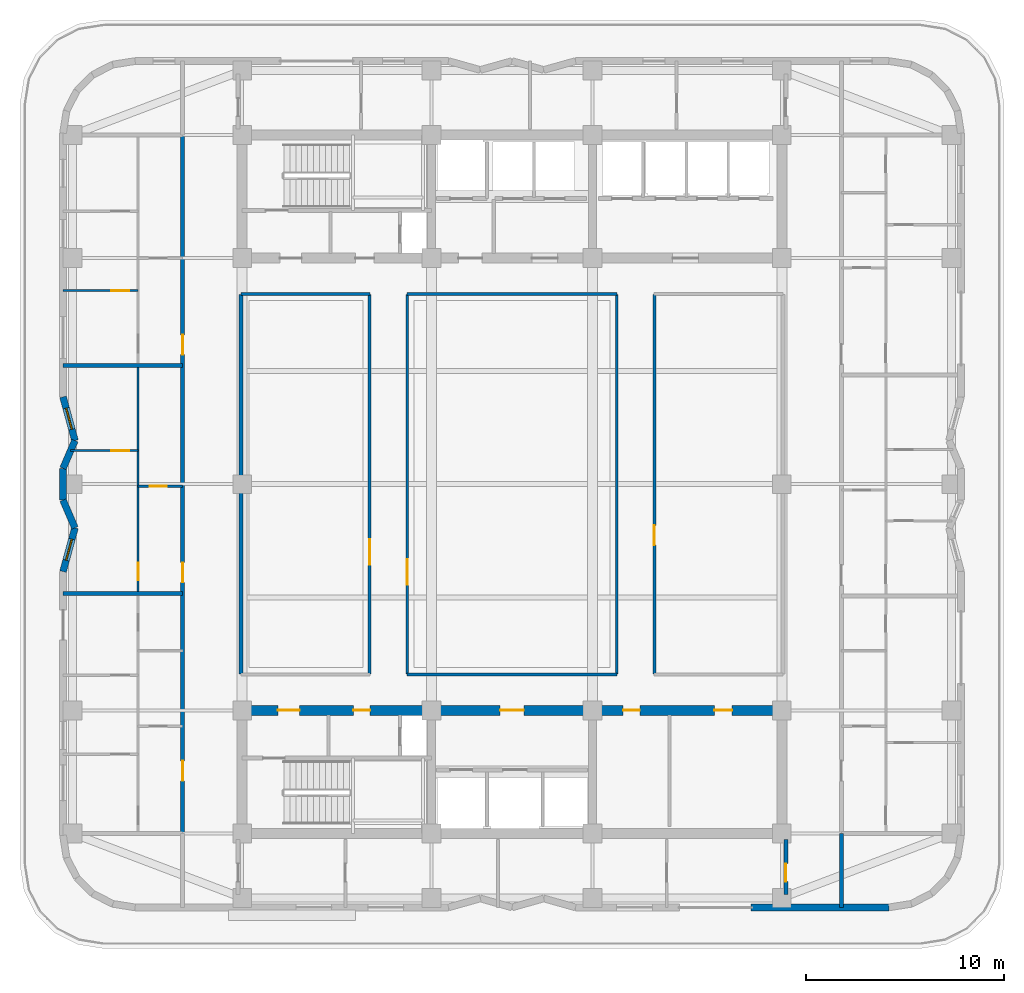
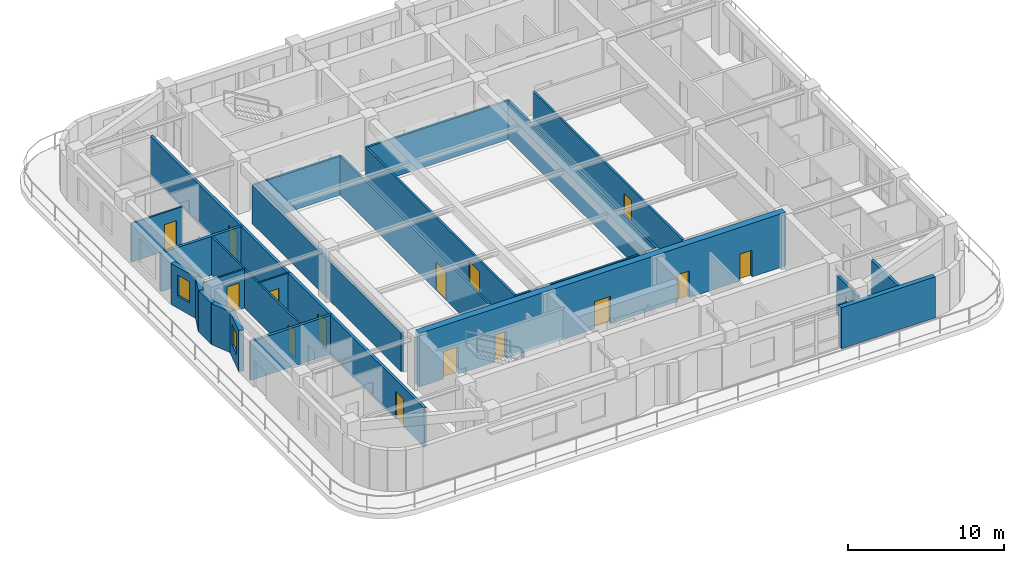
# One storey, part 7 of 14: 24 walls, 16 doors, 2 windows, 18 openings.
"""IFC4 building model written with IfcOpenShell, lengths in metres."""

import ifcopenshell
import ifcopenshell.guid

model = None  # the IFC model being written
_history = None  # IfcOwnerHistory: only IFC2X3 demands one
_inside = {}  # id of a spatial element -> (the spatial element, [elements in it])
_under = {}  # id of a project, library or spatial element -> (it, [spatial elements below it])
_declared = {}  # id of a project -> (the project, [libraries it declares])
_typed = {}  # id of a type object -> (the type object, [elements of that type])
_made_of = {}  # id of a material, layer set ... -> (it, [elements and type objects made of it])


def new_model(schema):
    """Start an empty IFC model of exactly this schema.

    Asked for "IFC4X3", IfcOpenShell would pick the latest addendum, in which some entities
    have other attributes; the version numbers below select the first issue.
    IFC2X3 requires an IfcOwnerHistory on every rooted entity: one is made here for all.
    """
    global model, _history
    if schema == "IFC4X3":
        model = ifcopenshell.file(schema_version=(4, 3, 0, 0))
    else:
        model = ifcopenshell.file(schema=schema)
    _inside.clear()
    _under.clear()
    _declared.clear()
    _typed.clear()
    _made_of.clear()
    _history = None
    if model.schema == "IFC2X3":
        org = make("IfcOrganization", Name="unknown")
        user = make(
            "IfcPersonAndOrganization",
            ThePerson=make("IfcPerson", FamilyName="unknown"),
            TheOrganization=org,
        )
        app = make(
            "IfcApplication",
            ApplicationDeveloper=org,
            Version="unknown",
            ApplicationFullName="unknown",
            ApplicationIdentifier="unknown",
        )
        _history = make(
            "IfcOwnerHistory",
            OwningUser=user,
            OwningApplication=app,
            ChangeAction="ADDED",
            CreationDate=0,
        )
    return model


def make(cls, **values):
    """One entity of the class cls with the attributes given. An attribute that is None is left unset."""
    return model.create_entity(
        cls, **{name: value for name, value in values.items() if value is not None}
    )


def rooted(cls, **values):
    """An entity with a GlobalId (a new one), such as an element, a storey or a relation."""
    return make(cls, GlobalId=ifcopenshell.guid.new(), OwnerHistory=_history, **values)


def si_unit(unit_type, name, prefix=None):
    """IfcSIUnit, for example si_unit("LENGTHUNIT", "METRE", prefix="MILLI")."""
    return make("IfcSIUnit", UnitType=unit_type, Prefix=prefix, Name=name)


def assignment(units):
    """IfcUnitAssignment: the units of a project."""
    return None if units is None else make("IfcUnitAssignment", Units=units)


def point(xyz):
    """IfcCartesianPoint."""
    return None if xyz is None else make("IfcCartesianPoint", Coordinates=xyz)


def direction(xyz):
    """IfcDirection."""
    return None if xyz is None else make("IfcDirection", DirectionRatios=xyz)


def frame(location, z_axis=None, x_axis=None):
    """IfcAxis2Placement3D, a coordinate frame: its origin and axes. An axis left out is left unset."""
    return make(
        "IfcAxis2Placement3D",
        Location=point(location),
        Axis=direction(z_axis),
        RefDirection=direction(x_axis),
    )


def frame_2d(location, x_axis=None):
    """IfcAxis2Placement2D, a coordinate frame in the plane: its origin and x axis."""
    return make(
        "IfcAxis2Placement2D", Location=point(location), RefDirection=direction(x_axis)
    )


def origin():
    """The frame at (0, 0, 0) with its axes left unset."""
    return frame((0.0, 0.0, 0.0))


def place(relative_to, where):
    """IfcLocalPlacement: puts the frame where relative to a parent placement (None: the world)."""
    return make(
        "IfcLocalPlacement", PlacementRelTo=relative_to, RelativePlacement=where
    )


def context(
    kind, dimensions, precision=None, world=None, true_north=None, identifier=None
):
    """IfcGeometricRepresentationContext, for example the 3D "Model" context."""
    return make(
        "IfcGeometricRepresentationContext",
        ContextIdentifier=identifier,
        ContextType=kind,
        CoordinateSpaceDimension=dimensions,
        Precision=precision,
        WorldCoordinateSystem=world,
        TrueNorth=true_north,
    )


def subcontext(parent, identifier, kind, view, scale=None):
    """IfcGeometricRepresentationSubContext, for example "Body" below "Model"."""
    return make(
        "IfcGeometricRepresentationSubContext",
        ContextIdentifier=identifier,
        ContextType=kind,
        ParentContext=parent,
        TargetScale=scale,
        TargetView=view,
    )


def project(units=None, contexts=None):
    """IfcProject with its units and contexts."""
    return rooted(
        "IfcProject",
        Name="project",
        RepresentationContexts=contexts,
        UnitsInContext=assignment(units),
    )


def spatial(cls, under=None, at=None, **own):
    """A site, building, storey or space (cls), placed at a placement, below another one or the project."""
    s = rooted(cls, ObjectPlacement=at, **own)
    if under is not None:
        _under.setdefault(under.id(), (under, []))[1].append(s)
    return s


def profile(cls, at=None, kind="AREA", **sizes):
    """A parametric profile (cls). Its sizes go by their IFC names, for example OverallWidth=200.0."""
    return make(cls, ProfileType=kind, Position=at, **sizes)


def rectangle(**sizes):
    """IfcRectangleProfileDef."""
    return profile("IfcRectangleProfileDef", **sizes)


def extrude(swept, where, along, depth):
    """IfcExtrudedAreaSolid: the profile swept, set in the frame where, extruded along a direction by depth."""
    return make(
        "IfcExtrudedAreaSolid",
        SweptArea=swept,
        Position=where,
        ExtrudedDirection=direction(along),
        Depth=depth,
    )


def shape(context_of_items, identifier, shape_type, items):
    """IfcShapeRepresentation: the items that make up one representation, for example the "Body"."""
    return make(
        "IfcShapeRepresentation",
        ContextOfItems=context_of_items,
        RepresentationIdentifier=identifier,
        RepresentationType=shape_type,
        Items=items,
    )


def material(Name=None, Category=None):
    """IfcMaterial."""
    return make("IfcMaterial", Name=Name, Category=Category)


def layer(
    of_material, thickness, ventilated=None, Name=None, Category=None, Priority=None
):
    """IfcMaterialLayer: one layer of a wall or slab, of a material (None: an air gap)."""
    return make(
        "IfcMaterialLayer",
        Material=of_material,
        LayerThickness=thickness,
        IsVentilated=ventilated,
        Name=Name,
        Category=Category,
        Priority=Priority,
    )


def layer_set(layers, Name=None):
    """IfcMaterialLayerSet."""
    return make("IfcMaterialLayerSet", MaterialLayers=layers, LayerSetName=Name)


def made_of(thing, what):
    """Note that an element or type object is made of a material, layer set ...; save() writes the relation."""
    if what is not None:
        _made_of.setdefault(what.id(), (what, []))[1].append(thing)
    return thing


def type_object(cls, material=None, **own):
    """A type object (cls), such as IfcWallType, which elements share."""
    return made_of(rooted(cls, **own), material)


def element(
    cls,
    number,
    at=None,
    inside=None,
    cuts=None,
    type_object=None,
    material=None,
    context=None,
    identifier="Body",
    shape_type=None,
    held_by="IfcProductDefinitionShape",
    body=None,
    shapes=None,
    **own,
):
    """One element of the class cls, such as IfcWall. Its Tag is "e" and its number.

    at: its placement. inside: the storey or other place that contains it. cuts: it is an
    opening in that element (IfcRelVoidsElement). A single representation is given by context,
    identifier, shape_type and body (its items); several are given by shapes. held_by: the class
    of the entity that holds the representations. save() writes the other relations.
    """
    e = rooted(cls, Tag="e%d" % number, ObjectPlacement=at, **own)
    if body is not None:
        shapes = [shape(context, identifier, shape_type, body)]
    if shapes is not None:
        e.Representation = make(held_by, Representations=shapes)
    if inside is not None:
        _inside.setdefault(inside.id(), (inside, []))[1].append(e)
    if cuts is not None:
        rooted(
            "IfcRelVoidsElement", RelatingBuildingElement=cuts, RelatedOpeningElement=e
        )
    if type_object is not None:
        _typed.setdefault(type_object.id(), (type_object, []))[1].append(e)
    return made_of(e, material)


def fill(opening, filler):
    """IfcRelFillsElement: the door or window that sits in an opening."""
    return rooted(
        "IfcRelFillsElement",
        RelatingOpeningElement=opening,
        RelatedBuildingElement=filler,
    )


def aggregate(whole, parts):
    """IfcRelAggregates: a whole, such as a stair, and the parts it consists of."""
    return rooted("IfcRelAggregates", RelatingObject=whole, RelatedObjects=parts)


def save(model, path):
    """Write the relations noted so far, then the file.

    IfcRelAggregates (storeys below a building ...), IfcRelContainedInSpatialStructure (elements
    in a storey), IfcRelDefinesByType, IfcRelAssociatesMaterial and IfcRelDeclares: one each for
    every whole, place, type object, material and project.
    """
    for whole, parts in _under.values():
        aggregate(whole, parts)
    for where, things in _inside.values():
        rooted(
            "IfcRelContainedInSpatialStructure",
            RelatedElements=things,
            RelatingStructure=where,
        )
    for kind, things in _typed.values():
        rooted("IfcRelDefinesByType", RelatedObjects=things, RelatingType=kind)
    for what, things in _made_of.values():
        rooted("IfcRelAssociatesMaterial", RelatedObjects=things, RelatingMaterial=what)
    for by, libraries in _declared.values():
        rooted("IfcRelDeclares", RelatingContext=by, RelatedDefinitions=libraries)
    model.write(path)


model = new_model("IFC4")

# Units and contexts
model_context = context("Model", 3, precision=1e-05, world=origin(), true_north=direction((0.0, 1.0)))
body_context = subcontext(model_context, "Body", "Model", "MODEL_VIEW")
ifc_project = project(units=[si_unit("LENGTHUNIT", "METRE"), si_unit("AREAUNIT", "SQUARE_METRE"), si_unit("VOLUMEUNIT", "CUBIC_METRE"), si_unit("PLANEANGLEUNIT", "RADIAN"), si_unit("MASSUNIT", "GRAM", prefix="KILO")], contexts=[model_context])

# Site, building, storey
site_placement = place(None, origin())
site = spatial("IfcSite", under=ifc_project, at=site_placement, CompositionType="ELEMENT")
building_placement = place(site_placement, origin())
building = spatial("IfcBuilding", under=site, at=building_placement, Name="Svetorya Sky Lyceum", CompositionType="ELEMENT")
storey_placement = place(building_placement, frame((0.0, 0.0, 143.60009765625)))
storey = spatial("IfcBuildingStorey", under=building, at=storey_placement, Name="L35", CompositionType="ELEMENT", Elevation=143.60009765625)

# Wall, openings, doors
ifc_material_1 = material(Name="Concrete C50/60", Category="concrete")
ifc_layer_1 = layer(ifc_material_1, 0.5)
ifc_layer_set_1 = layer_set([ifc_layer_1], Name="Concrete C50/60")
wall_type_1 = type_object("IfcWallType", Name="WL-CORE-500", PredefinedType="SHEAR", material=ifc_layer_set_1)
wall_1_placement = place(storey_placement, frame((25.60009765625, 16.800048828125, 0.0), z_axis=(0.0, 0.0, 1.0), x_axis=(1.0, 0.0, 0.0)))
wall_1 = element("IfcWall", 1, at=wall_1_placement, inside=storey, type_object=wall_type_1, Name="L35 SC Inner Core Shear Wall", PredefinedType="SHEAR", context=body_context, shape_type="SweptSolid", body=[
    extrude(rectangle(XDim=27.199951171875, YDim=0.5, at=frame_2d((13.60009765625, 0.0))), origin(), (0.0, 0.0, 1.0), 4.199951171875),
])
opening_1_placement = place(wall_1_placement, frame((1.800048828125, 0.0, 0.0)))
opening_1 = element("IfcOpeningElement", 2, at=opening_1_placement, cuts=wall_1, Name="Opening D-ST1", PredefinedType="OPENING", context=body_context, shape_type="SweptSolid", body=[
    extrude(rectangle(XDim=1.10009765625, YDim=2.14990234375, at=frame_2d((0.550048828125, 1.074951171875))), frame((0.0, 0.260009765625, 0.0), z_axis=(0.0, -1.0, 0.0), x_axis=(1.0, 0.0, 0.0)), (0.0, 0.0, 1.0), 0.52001953125),
])
opening_2_placement = place(wall_1_placement, frame((5.60009765625, 0.0, 0.0)))
opening_2 = element("IfcOpeningElement", 3, at=opening_2_placement, cuts=wall_1, Name="Opening D-CWC1", PredefinedType="OPENING", context=body_context, shape_type="SweptSolid", body=[
    extrude(rectangle(XDim=0.85009765625, YDim=2.10009765625, at=frame_2d((0.425048828125, 1.050048828125))), frame((0.0, 0.260009765625, 0.0), z_axis=(0.0, -1.0, 0.0), x_axis=(1.0, 0.0, 0.0)), (0.0, 0.0, 1.0), 0.52001953125),
])
opening_3_placement = place(wall_1_placement, frame((13.0, 0.0, 0.0)))
opening_3 = element("IfcOpeningElement", 4, at=opening_3_placement, cuts=wall_1, Name="Opening D-FL1", PredefinedType="OPENING", context=body_context, shape_type="SweptSolid", body=[
    extrude(rectangle(XDim=1.199951171875, YDim=2.14990234375, at=frame_2d((0.60009765625, 1.074951171875))), frame((0.0, 0.260009765625, 0.0), z_axis=(0.0, -1.0, 0.0), x_axis=(1.0, 0.0, 0.0)), (0.0, 0.0, 1.0), 0.52001953125),
])
opening_4_placement = place(wall_1_placement, frame((19.199951171875, 0.0, 0.0)))
opening_4 = element("IfcOpeningElement", 5, at=opening_4_placement, cuts=wall_1, Name="Opening D-CWC1", PredefinedType="OPENING", context=body_context, shape_type="SweptSolid", body=[
    extrude(rectangle(XDim=0.85009765625, YDim=2.10009765625, at=frame_2d((0.425048828125, 1.050048828125))), frame((0.0, 0.260009765625, 0.0), z_axis=(0.0, -1.0, 0.0), x_axis=(1.0, 0.0, 0.0)), (0.0, 0.0, 1.0), 0.52001953125),
])
opening_5_placement = place(wall_1_placement, frame((23.800048828125, 0.0, 0.0)))
opening_5 = element("IfcOpeningElement", 6, at=opening_5_placement, cuts=wall_1, Name="Opening D-RM1", PredefinedType="OPENING", context=body_context, shape_type="SweptSolid", body=[
    extrude(rectangle(XDim=0.89990234375, YDim=2.10009765625, at=frame_2d((0.449951171875, 1.050048828125))), frame((0.0, 0.260009765625, 0.0), z_axis=(0.0, -1.0, 0.0), x_axis=(1.0, 0.0, 0.0)), (0.0, 0.0, 1.0), 0.52001953125),
])
ifc_material_2 = material(Name="Fire-rated galvanized steel core service closet door", Category="steel")
door_type_1 = type_object("IfcDoorType", Name="DR-CWET-850", OperationType="SINGLE_SWING_LEFT", PredefinedType="DOOR", material=ifc_material_2)
door_1_placement = place(opening_2_placement, origin())
door_1 = element("IfcDoor", 7, at=door_1_placement, inside=storey, type_object=door_type_1, Name="L35 South Hydrant Room Door", OperationType="SINGLE_SWING_LEFT", OverallHeight=2.10009765625, OverallWidth=0.85009765625, PredefinedType="DOOR", context=body_context, shape_type="SweptSolid", body=[
    extrude(rectangle(XDim=0.85009765625, YDim=2.10009765625, at=frame_2d((0.425048828125, 1.050048828125))), frame((0.0, 0.02490234375, 0.0), z_axis=(0.0, -1.0, 0.0), x_axis=(1.0, 0.0, 0.0)), (0.0, 0.0, 1.0), 0.050048828125),
])
fill(opening_2, door_1)
door_2_placement = place(opening_4_placement, origin())
door_2 = element("IfcDoor", 8, at=door_2_placement, inside=storey, type_object=door_type_1, Name="L35 Laundry Door", OperationType="SINGLE_SWING_RIGHT", OverallHeight=2.10009765625, OverallWidth=0.85009765625, PredefinedType="DOOR", context=body_context, shape_type="SweptSolid", body=[
    extrude(rectangle(XDim=0.85009765625, YDim=2.10009765625, at=frame_2d((0.425048828125, 1.050048828125))), frame((0.0, 0.02490234375, 0.0), z_axis=(0.0, -1.0, 0.0), x_axis=(1.0, 0.0, 0.0)), (0.0, 0.0, 1.0), 0.050048828125),
])
fill(opening_4, door_2)
ifc_material_3 = material(Name="Powder-coated insulated galvanized stair fire door")
door_type_2 = type_object("IfcDoorType", Name="DR-FIRE-1100", OperationType="SINGLE_SWING_LEFT", PredefinedType="DOOR", material=ifc_material_3)
door_3_placement = place(opening_1_placement, origin())
door_3 = element("IfcDoor", 9, at=door_3_placement, inside=storey, type_object=door_type_2, Name="L35 South Stair Airlock Door", OperationType="SINGLE_SWING_RIGHT", OverallHeight=2.14990234375, OverallWidth=1.10009765625, PredefinedType="DOOR", context=body_context, shape_type="SweptSolid", body=[
    extrude(rectangle(XDim=1.10009765625, YDim=2.14990234375, at=frame_2d((0.550048828125, 1.074951171875))), frame((0.0, 0.02490234375, 0.0), z_axis=(0.0, -1.0, 0.0), x_axis=(1.0, 0.0, 0.0)), (0.0, 0.0, 1.0), 0.050048828125),
])
fill(opening_1, door_3)
ifc_material_4 = material(Name="Powder-coated insulated galvanized fire door")
door_type_3 = type_object("IfcDoorType", Name="DR-FIRE-1200", OperationType="SINGLE_SWING_LEFT", PredefinedType="DOOR", material=ifc_material_4)
door_4_placement = place(opening_3_placement, origin())
door_4 = element("IfcDoor", 10, at=door_4_placement, inside=storey, type_object=door_type_3, Name="L35 South Firefighting Lift Lobby Door", OperationType="SINGLE_SWING_LEFT", OverallHeight=2.14990234375, OverallWidth=1.199951171875, PredefinedType="DOOR", context=body_context, shape_type="SweptSolid", body=[
    extrude(rectangle(XDim=1.199951171875, YDim=2.14990234375, at=frame_2d((0.60009765625, 1.074951171875))), frame((0.0, 0.02490234375, 0.0), z_axis=(0.0, -1.0, 0.0), x_axis=(1.0, 0.0, 0.0)), (0.0, 0.0, 1.0), 0.050048828125),
])
fill(opening_3, door_4)
ifc_material_5 = material(Name="Lacquered birch veneer internal door")
door_type_4 = type_object("IfcDoorType", Name="DR-INT-900", OperationType="SINGLE_SWING_LEFT", PredefinedType="DOOR", material=ifc_material_5)
door_5_placement = place(opening_5_placement, origin())
door_5 = element("IfcDoor", 11, at=door_5_placement, inside=storey, type_object=door_type_4, Name="L35 Pantry Door", OperationType="SINGLE_SWING_LEFT", OverallHeight=2.10009765625, OverallWidth=0.89990234375, PredefinedType="DOOR", context=body_context, shape_type="SweptSolid", body=[
    extrude(rectangle(XDim=0.89990234375, YDim=2.10009765625, at=frame_2d((0.449951171875, 1.050048828125))), frame((0.0, 0.02490234375, 0.0), z_axis=(0.0, -1.0, 0.0), x_axis=(1.0, 0.0, 0.0)), (0.0, 0.0, 1.0), 0.050048828125),
])
fill(opening_5, door_5)

# Wall
ifc_material_6 = material(Name="Putilovo limestone rainscreen on autoclaved cellular masonry", Category="masonry")
ifc_layer_2 = layer(ifc_material_6, 0.340087890625)
ifc_layer_set_2 = layer_set([ifc_layer_2], Name="Putilovo limestone rainscreen on autoclaved cellular masonry")
wall_type_2 = type_object("IfcWallType", Name="WL-EXT-340", PredefinedType="SOLIDWALL", material=ifc_layer_set_2)
wall_2_placement = place(storey_placement, frame((51.25, 6.8701171875, 0.0), z_axis=(0.0, 0.0, 1.0), x_axis=(1.0, 0.0, 0.0)))
element("IfcWall", 12, at=wall_2_placement, inside=storey, type_object=wall_type_2, Name="L35 Limestone Exterior Wall 11B", PredefinedType="SOLIDWALL", context=body_context, shape_type="SweptSolid", body=[
    extrude(rectangle(XDim=6.949951171875, YDim=0.340087890625, at=frame_2d((3.47509765625, 0.0))), origin(), (0.0, 0.0, 1.0), 3.219970703125),
])

# Wall, opening, window
wall_3_placement = place(storey_placement, frame((16.570068359375, 32.60009765625, 0.0), z_axis=(0.0, 0.0, 1.0), x_axis=(0.263035877812, -0.96478605244, 0.0)))
wall_3 = element("IfcWall", 13, at=wall_3_placement, inside=storey, type_object=wall_type_2, Name="L35 Limestone Exterior Wall 41M", PredefinedType="SOLIDWALL", context=body_context, shape_type="SweptSolid", body=[
    extrude(rectangle(XDim=2.280517578125, YDim=0.340087890625, at=frame_2d((1.14013671875, 0.0))), origin(), (0.0, 0.0, 1.0), 3.219970703125),
])
opening_6_placement = place(wall_3_placement, frame((0.590087890625, 0.0, 0.949951171875)))
opening_6 = element("IfcOpeningElement", 14, at=opening_6_placement, cuts=wall_3, Name="Opening W-R3", PredefinedType="OPENING", context=body_context, shape_type="SweptSolid", body=[
    extrude(rectangle(XDim=1.10009765625, YDim=1.64990234375, at=frame_2d((0.550048828125, 0.824951171875))), frame((0.0, 0.179931640625, 0.0), z_axis=(0.0, -1.0, 0.0), x_axis=(1.0, 0.0, 0.0)), (0.0, 0.0, 1.0), 0.360107421875),
])
ifc_material_7 = material(Name="Thermally broken aluminium frame with triple low-E glazing", Category="aluminium")
window_type = type_object("IfcWindowType", Name="WN-RES-110", PartitioningType="SINGLE_PANEL", PredefinedType="WINDOW", material=ifc_material_7)
window_1_placement = place(opening_6_placement, origin())
window_1 = element("IfcWindow", 15, at=window_1_placement, inside=storey, type_object=window_type, Name="L35 Facade Window W-R3.41M.1", OverallHeight=1.64990234375, OverallWidth=1.10009765625, PartitioningType="SINGLE_PANEL", PredefinedType="WINDOW", context=body_context, shape_type="SweptSolid", body=[
    extrude(rectangle(XDim=1.10009765625, YDim=1.64990234375, at=frame_2d((0.550048828125, 0.824951171875))), frame((0.0, 0.030029296875, 0.0), z_axis=(0.0, -1.0, 0.0), x_axis=(1.0, 0.0, 0.0)), (0.0, 0.0, 1.0), 0.06005859375),
])
fill(opening_6, window_1)

# Walls
wall_4_placement = place(storey_placement, frame((17.169921875, 30.39990234375, 0.0), z_axis=(0.0, 0.0, 1.0), x_axis=(-0.393861257526, -0.919169902586, 0.0)))
element("IfcWall", 16, at=wall_4_placement, inside=storey, type_object=wall_type_2, Name="L35 Limestone Exterior Wall 42M", PredefinedType="SOLIDWALL", context=body_context, shape_type="SweptSolid", body=[
    extrude(rectangle(XDim=1.52294921875, YDim=0.340087890625, at=frame_2d((0.761474609375, 0.0))), origin(), (0.0, 0.0, 1.0), 3.219970703125),
])
wall_5_placement = place(storey_placement, frame((16.570068359375, 29.0, 0.0), z_axis=(0.0, 0.0, 1.0), x_axis=(0.0, -1.0, 0.0)))
element("IfcWall", 17, at=wall_5_placement, inside=storey, type_object=wall_type_2, Name="L35 Limestone Exterior Wall 43M", PredefinedType="SOLIDWALL", context=body_context, shape_type="SweptSolid", body=[
    extrude(rectangle(XDim=1.60009765625, YDim=0.340087890625, at=frame_2d((0.800048828125, 0.0))), origin(), (0.0, 0.0, 1.0), 3.219970703125),
])
wall_6_placement = place(storey_placement, frame((16.570068359375, 27.39990234375, 0.0), z_axis=(0.0, 0.0, 1.0), x_axis=(0.393861257526, -0.919169902586, 0.0)))
element("IfcWall", 18, at=wall_6_placement, inside=storey, type_object=wall_type_2, Name="L35 Limestone Exterior Wall 44M", PredefinedType="SOLIDWALL", context=body_context, shape_type="SweptSolid", body=[
    extrude(rectangle(XDim=1.52294921875, YDim=0.340087890625, at=frame_2d((0.761474609375, 0.0))), origin(), (0.0, 0.0, 1.0), 3.219970703125),
])

# Wall, opening, window
wall_7_placement = place(storey_placement, frame((17.169921875, 26.0, 0.0), z_axis=(0.0, 0.0, 1.0), x_axis=(-0.2630630484, -0.964778644336, 0.0)))
wall_7 = element("IfcWall", 19, at=wall_7_placement, inside=storey, type_object=wall_type_2, Name="L35 Limestone Exterior Wall 45M", PredefinedType="SOLIDWALL", context=body_context, shape_type="SweptSolid", body=[
    extrude(rectangle(XDim=2.2802734375, YDim=0.340087890625, at=frame_2d((1.14013671875, 0.0))), origin(), (0.0, 0.0, 1.0), 3.219970703125),
])
opening_7_placement = place(wall_7_placement, frame((0.590087890625, 0.0, 0.949951171875)))
opening_7 = element("IfcOpeningElement", 20, at=opening_7_placement, cuts=wall_7, Name="Opening W-R3", PredefinedType="OPENING", context=body_context, shape_type="SweptSolid", body=[
    extrude(rectangle(XDim=1.10009765625, YDim=1.64990234375, at=frame_2d((0.550048828125, 0.824951171875))), frame((0.0, 0.179931640625, 0.0), z_axis=(0.0, -1.0, 0.0), x_axis=(1.0, 0.0, 0.0)), (0.0, 0.0, 1.0), 0.360107421875),
])
window_2_placement = place(opening_7_placement, origin())
window_2 = element("IfcWindow", 21, at=window_2_placement, inside=storey, type_object=window_type, Name="L35 Facade Window W-R3.45M.1", OverallHeight=1.64990234375, OverallWidth=1.10009765625, PartitioningType="SINGLE_PANEL", PredefinedType="WINDOW", context=body_context, shape_type="SweptSolid", body=[
    extrude(rectangle(XDim=1.10009765625, YDim=1.64990234375, at=frame_2d((0.550048828125, 0.824951171875))), frame((0.0, 0.030029296875, 0.0), z_axis=(0.0, -1.0, 0.0), x_axis=(1.0, 0.0, 0.0)), (0.0, 0.0, 1.0), 0.06005859375),
])
fill(opening_7, window_2)

# Wall, opening, door
ifc_material_8 = material(Name="Twin-stud galvanized framing with double fireboard", Category="gypsum")
ifc_layer_3 = layer(ifc_material_8, 0.1201171875)
ifc_layer_set_3 = layer_set([ifc_layer_3], Name="Twin-stud galvanized framing with double fireboard")
wall_type_3 = type_object("IfcWallType", Name="WL-PART-120", PredefinedType="PARTITIONING", material=ifc_layer_set_3)
wall_8_placement = place(storey_placement, frame((20.35009765625, 28.10009765625, 0.0), z_axis=(0.0, 0.0, 1.0), x_axis=(1.0, 0.0, 0.0)))
wall_8 = element("IfcWall", 22, at=wall_8_placement, inside=storey, type_object=wall_type_3, Name="L35 Interior Partition W2-WH1", PredefinedType="PARTITIONING", context=body_context, shape_type="SweptSolid", body=[
    extrude(rectangle(XDim=2.25, YDim=0.1201171875, at=frame_2d((1.125, 0.0))), origin(), (0.0, 0.0, 1.0), 3.0498046875),
])
opening_8_placement = place(wall_8_placement, frame((0.60009765625, 0.0, 0.0)))
opening_8 = element("IfcOpeningElement", 23, at=opening_8_placement, cuts=wall_8, Name="Opening D-BT1", PredefinedType="OPENING", context=body_context, shape_type="SweptSolid", body=[
    extrude(rectangle(XDim=0.85009765625, YDim=2.10009765625, at=frame_2d((0.425048828125, 1.050048828125))), frame((0.0, 0.070068359375, 0.0), z_axis=(0.0, -1.0, 0.0), x_axis=(1.0, 0.0, 0.0)), (0.0, 0.0, 1.0), 0.14013671875),
])
ifc_material_9 = material(Name="Moisture-resistant laminate bathroom door")
door_type_5 = type_object("IfcDoorType", Name="DR-WET-850", OperationType="SINGLE_SWING_LEFT", PredefinedType="DOOR", material=ifc_material_9)
door_6_placement = place(opening_8_placement, origin())
door_6 = element("IfcDoor", 24, at=door_6_placement, inside=storey, type_object=door_type_5, Name="Apartment W2 Bathroom Door", OperationType="SINGLE_SWING_RIGHT", OverallHeight=2.10009765625, OverallWidth=0.85009765625, PredefinedType="DOOR", context=body_context, shape_type="SweptSolid", body=[
    extrude(rectangle(XDim=0.85009765625, YDim=2.10009765625, at=frame_2d((0.425048828125, 1.050048828125))), frame((0.0, 0.02490234375, 0.0), z_axis=(0.0, -1.0, 0.0), x_axis=(1.0, 0.0, 0.0)), (0.0, 0.0, 1.0), 0.050048828125),
])
fill(opening_8, door_6)

wall_9_placement = place(storey_placement, frame((16.955810546875, 29.89990234375, 0.0), z_axis=(0.0, 0.0, 1.0), x_axis=(1.0, 0.0, 0.0)))
wall_9 = element("IfcWall", 25, at=wall_9_placement, inside=storey, type_object=wall_type_3, Name="L35 Interior Partition W2-WL1", PredefinedType="PARTITIONING", context=body_context, shape_type="SweptSolid", body=[
    extrude(rectangle(XDim=3.394287109375, YDim=0.1201171875, at=frame_2d((1.697265625, 0.0))), origin(), (0.0, 0.0, 1.0), 3.0498046875),
])
opening_9_placement = place(wall_9_placement, frame((2.044189453125, 0.0, 0.0)))
opening_9 = element("IfcOpeningElement", 26, at=opening_9_placement, cuts=wall_9, Name="Opening D-RM1", PredefinedType="OPENING", context=body_context, shape_type="SweptSolid", body=[
    extrude(rectangle(XDim=0.89990234375, YDim=2.10009765625, at=frame_2d((0.449951171875, 1.050048828125))), frame((0.0, 0.070068359375, 0.0), z_axis=(0.0, -1.0, 0.0), x_axis=(1.0, 0.0, 0.0)), (0.0, 0.0, 1.0), 0.14013671875),
])
door_7_placement = place(opening_9_placement, origin())
door_7 = element("IfcDoor", 27, at=door_7_placement, inside=storey, type_object=door_type_4, Name="Apartment W2 Bedroom 1 Door", OperationType="SINGLE_SWING_RIGHT", OverallHeight=2.10009765625, OverallWidth=0.89990234375, PredefinedType="DOOR", context=body_context, shape_type="SweptSolid", body=[
    extrude(rectangle(XDim=0.89990234375, YDim=2.10009765625, at=frame_2d((0.449951171875, 1.050048828125))), frame((0.0, 0.02490234375, 0.0), z_axis=(0.0, -1.0, 0.0), x_axis=(1.0, 0.0, 0.0)), (0.0, 0.0, 1.0), 0.050048828125),
])
fill(opening_9, door_7)

wall_10_placement = place(storey_placement, frame((20.35009765625, 22.739990234375, 0.0), z_axis=(0.0, 0.0, 1.0), x_axis=(0.0, 1.0, 0.0)))
wall_10 = element("IfcWall", 28, at=wall_10_placement, inside=storey, type_object=wall_type_3, Name="L35 Interior Partition W2-WV", PredefinedType="PARTITIONING", context=body_context, shape_type="SweptSolid", body=[
    extrude(rectangle(XDim=11.404052734375, YDim=0.1201171875, at=frame_2d((5.7021484375, 0.0))), origin(), (0.0, 0.0, 1.0), 3.0498046875),
])
opening_10_placement = place(wall_10_placement, frame((0.610107421875, 0.0, 0.0)))
opening_10 = element("IfcOpeningElement", 29, at=opening_10_placement, cuts=wall_10, Name="Opening D-RM1", PredefinedType="OPENING", context=body_context, shape_type="SweptSolid", body=[
    extrude(rectangle(XDim=0.89990234375, YDim=2.10009765625, at=frame_2d((0.449951171875, 1.050048828125))), frame((0.0, 0.070068359375, 0.0), z_axis=(0.0, -1.0, 0.0), x_axis=(1.0, 0.0, 0.0)), (0.0, 0.0, 1.0), 0.14013671875),
])
door_8_placement = place(opening_10_placement, origin())
door_8 = element("IfcDoor", 30, at=door_8_placement, inside=storey, type_object=door_type_4, Name="Apartment W2 Living Door", OperationType="SINGLE_SWING_LEFT", OverallHeight=2.10009765625, OverallWidth=0.89990234375, PredefinedType="DOOR", context=body_context, shape_type="SweptSolid", body=[
    extrude(rectangle(XDim=0.89990234375, YDim=2.10009765625, at=frame_2d((0.449951171875, 1.050048828125))), frame((0.0, 0.02490234375, 0.0), z_axis=(0.0, -1.0, 0.0), x_axis=(1.0, 0.0, 0.0)), (0.0, 0.0, 1.0), 0.050048828125),
])
fill(opening_10, door_8)

wall_11_placement = place(storey_placement, frame((16.570068359375, 37.964111328125, 0.0), z_axis=(0.0, 0.0, 1.0), x_axis=(1.0, 0.0, 0.0)))
wall_11 = element("IfcWall", 31, at=wall_11_placement, inside=storey, type_object=wall_type_3, Name="L35 Interior Partition W3-WL1", PredefinedType="PARTITIONING", context=body_context, shape_type="SweptSolid", body=[
    extrude(rectangle(XDim=3.780029296875, YDim=0.1201171875, at=frame_2d((1.89013671875, 0.0))), origin(), (0.0, 0.0, 1.0), 3.0498046875),
])
opening_11_placement = place(wall_11_placement, frame((2.429931640625, 0.0, 0.0)))
opening_11 = element("IfcOpeningElement", 32, at=opening_11_placement, cuts=wall_11, Name="Opening D-RM1", PredefinedType="OPENING", context=body_context, shape_type="SweptSolid", body=[
    extrude(rectangle(XDim=0.89990234375, YDim=2.10009765625, at=frame_2d((0.449951171875, 1.050048828125))), frame((0.0, 0.070068359375, 0.0), z_axis=(0.0, -1.0, 0.0), x_axis=(1.0, 0.0, 0.0)), (0.0, 0.0, 1.0), 0.14013671875),
])
door_9_placement = place(opening_11_placement, origin())
door_9 = element("IfcDoor", 33, at=door_9_placement, inside=storey, type_object=door_type_4, Name="Apartment W3 Master Bedroom Door", OperationType="SINGLE_SWING_LEFT", OverallHeight=2.10009765625, OverallWidth=0.89990234375, PredefinedType="DOOR", context=body_context, shape_type="SweptSolid", body=[
    extrude(rectangle(XDim=0.89990234375, YDim=2.10009765625, at=frame_2d((0.449951171875, 1.050048828125))), frame((0.0, 0.02490234375, 0.0), z_axis=(0.0, -1.0, 0.0), x_axis=(1.0, 0.0, 0.0)), (0.0, 0.0, 1.0), 0.050048828125),
])
fill(opening_11, door_9)

# Walls
ifc_material_10 = material(Name="Autoclaved cellular masonry blockwork with acoustic render", Category="masonry")
ifc_layer_4 = layer(ifc_material_10, 0.14990234375)
ifc_layer_set_4 = layer_set([ifc_layer_4], Name="Autoclaved cellular masonry blockwork with acoustic render")
wall_type_4 = type_object("IfcWallType", Name="WL-PART-150", PredefinedType="PARTITIONING", material=ifc_layer_set_4)
wall_12_placement = place(storey_placement, frame((25.550048828125, 37.800048828125, 0.0), z_axis=(0.0, 0.0, 1.0), x_axis=(1.0, 0.0, 0.0)))
element("IfcWall", 34, at=wall_12_placement, inside=storey, type_object=wall_type_4, Name="L35 Interior Partition RL-CN-W", PredefinedType="PARTITIONING", context=body_context, shape_type="SweptSolid", body=[
    extrude(rectangle(XDim=6.5, YDim=0.14990234375, at=frame_2d((3.25, 0.0))), origin(), (0.0, 0.0, 1.0), 3.0498046875),
])
for number, where, z_axis, x_axis, name in (
    (35, (33.89990234375, 18.60009765625, 0.0), (0.0, 0.0, 1.0), (1.0, 0.0, 0.0), "L35 Interior Partition RL-CS-M"),
    (36, (33.89990234375, 37.800048828125, 0.0), (0.0, 0.0, 1.0), (1.0, 0.0, 0.0), "L35 Interior Partition RL-CN-M"),
):
    element("IfcWall", number, at=place(storey_placement, frame(where, z_axis=z_axis, x_axis=x_axis)), inside=storey, type_object=wall_type_4, Name=name, PredefinedType="PARTITIONING", context=body_context, shape_type="SweptSolid", body=[
        extrude(rectangle(XDim=10.60009765625, YDim=0.14990234375, at=frame_2d((5.300048828125, 0.0))), origin(), (0.0, 0.0, 1.0), 3.0498046875),
    ])

# Wall, opening, door
wall_13_placement = place(storey_placement, frame((32.02001953125, 18.6298828125, 0.0), z_axis=(0.0, 0.0, 1.0), x_axis=(0.0, 1.0, 0.0)))
wall_13 = element("IfcWall", 37, at=wall_13_placement, inside=storey, type_object=wall_type_4, Name="L35 Interior Partition ISL-WW", PredefinedType="PARTITIONING", context=body_context, shape_type="SweptSolid", body=[
    extrude(rectangle(XDim=19.14013671875, YDim=0.14990234375, at=frame_2d((9.570068359375, 0.0))), origin(), (0.0, 0.0, 1.0), 3.0498046875),
])
opening_12_placement = place(wall_13_placement, frame((5.5, 0.0, 0.0)))
opening_12 = element("IfcOpeningElement", 38, at=opening_12_placement, cuts=wall_13, Name="Opening D-LB1", PredefinedType="OPENING", context=body_context, shape_type="SweptSolid", body=[
    extrude(rectangle(XDim=1.300048828125, YDim=2.199951171875, at=frame_2d((0.64990234375, 1.10009765625))), frame((0.0, 0.0849609375, 0.0), z_axis=(0.0, -1.0, 0.0), x_axis=(1.0, 0.0, 0.0)), (0.0, 0.0, 1.0), 0.169921875),
])
ifc_material_11 = material(Name="Glazed fire-rated aluminium lobby door", Category="aluminium")
door_type_6 = type_object("IfcDoorType", Name="DR-LOB-1300", OperationType="SINGLE_SWING_LEFT", PredefinedType="DOOR", material=ifc_material_11)
door_10_placement = place(opening_12_placement, origin())
door_10 = element("IfcDoor", 39, at=door_10_placement, inside=storey, type_object=door_type_6, Name="L35 West Sky Lounge Door", OperationType="SINGLE_SWING_LEFT", OverallHeight=2.199951171875, OverallWidth=1.300048828125, PredefinedType="DOOR", context=body_context, shape_type="SweptSolid", body=[
    extrude(rectangle(XDim=1.300048828125, YDim=2.199951171875, at=frame_2d((0.64990234375, 1.10009765625))), frame((0.0, 0.02490234375, 0.0), z_axis=(0.0, -1.0, 0.0), x_axis=(1.0, 0.0, 0.0)), (0.0, 0.0, 1.0), 0.050048828125),
])
fill(opening_12, door_10)

wall_14_placement = place(storey_placement, frame((33.919921875, 18.6298828125, 0.0), z_axis=(0.0, 0.0, 1.0), x_axis=(0.0, 1.0, 0.0)))
wall_14 = element("IfcWall", 40, at=wall_14_placement, inside=storey, type_object=wall_type_4, Name="L35 Interior Partition ISL-WE", PredefinedType="PARTITIONING", context=body_context, shape_type="SweptSolid", body=[
    extrude(rectangle(XDim=19.14013671875, YDim=0.14990234375, at=frame_2d((9.570068359375, 0.0))), origin(), (0.0, 0.0, 1.0), 3.0498046875),
])
opening_13_placement = place(wall_14_placement, frame((4.5, 0.0, 0.0)))
opening_13 = element("IfcOpeningElement", 41, at=opening_13_placement, cuts=wall_14, Name="Opening D-LB1", PredefinedType="OPENING", context=body_context, shape_type="SweptSolid", body=[
    extrude(rectangle(XDim=1.300048828125, YDim=2.199951171875, at=frame_2d((0.64990234375, 1.10009765625))), frame((0.0, 0.0849609375, 0.0), z_axis=(0.0, -1.0, 0.0), x_axis=(1.0, 0.0, 0.0)), (0.0, 0.0, 1.0), 0.169921875),
])
door_11_placement = place(opening_13_placement, origin())
door_11 = element("IfcDoor", 42, at=door_11_placement, inside=storey, type_object=door_type_6, Name="L35 Sky Hall Door", OperationType="SINGLE_SWING_RIGHT", OverallHeight=2.199951171875, OverallWidth=1.300048828125, PredefinedType="DOOR", context=body_context, shape_type="SweptSolid", body=[
    extrude(rectangle(XDim=1.300048828125, YDim=2.199951171875, at=frame_2d((0.64990234375, 1.10009765625))), frame((0.0, 0.02490234375, 0.0), z_axis=(0.0, -1.0, 0.0), x_axis=(1.0, 0.0, 0.0)), (0.0, 0.0, 1.0), 0.050048828125),
])
fill(opening_13, door_11)

# Wall
wall_15_placement = place(storey_placement, frame((44.47998046875, 18.6298828125, 0.0), z_axis=(0.0, 0.0, 1.0), x_axis=(0.0, 1.0, 0.0)))
element("IfcWall", 43, at=wall_15_placement, inside=storey, type_object=wall_type_4, Name="L35 Interior Partition ISL-EW", PredefinedType="PARTITIONING", context=body_context, shape_type="SweptSolid", body=[
    extrude(rectangle(XDim=19.14013671875, YDim=0.14990234375, at=frame_2d((9.570068359375, 0.0))), origin(), (0.0, 0.0, 1.0), 3.0498046875),
])

# Wall, opening, door
wall_16_placement = place(storey_placement, frame((46.3798828125, 18.6298828125, 0.0), z_axis=(0.0, 0.0, 1.0), x_axis=(0.0, 1.0, 0.0)))
wall_16 = element("IfcWall", 44, at=wall_16_placement, inside=storey, type_object=wall_type_4, Name="L35 Interior Partition ISL-EE", PredefinedType="PARTITIONING", context=body_context, shape_type="SweptSolid", body=[
    extrude(rectangle(XDim=19.14013671875, YDim=0.14990234375, at=frame_2d((9.570068359375, 0.0))), origin(), (0.0, 0.0, 1.0), 3.0498046875),
])
opening_14_placement = place(wall_16_placement, frame((6.5, 0.0, 0.0)))
opening_14 = element("IfcOpeningElement", 45, at=opening_14_placement, cuts=wall_16, Name="Opening D-RM2", PredefinedType="OPENING", context=body_context, shape_type="SweptSolid", body=[
    extrude(rectangle(XDim=1.0, YDim=2.14990234375, at=frame_2d((0.5, 1.074951171875))), frame((0.0, 0.0849609375, 0.0), z_axis=(0.0, -1.0, 0.0), x_axis=(1.0, 0.0, 0.0)), (0.0, 0.0, 1.0), 0.169921875),
])
ifc_material_12 = material(Name="Solid-core oak acoustic room door")
door_type_7 = type_object("IfcDoorType", Name="DR-INT-1000", OperationType="SINGLE_SWING_LEFT", PredefinedType="DOOR", material=ifc_material_12)
door_12_placement = place(opening_14_placement, origin())
door_12 = element("IfcDoor", 46, at=door_12_placement, inside=storey, type_object=door_type_7, Name="L35 Reading Hall Door", OperationType="SINGLE_SWING_LEFT", OverallHeight=2.14990234375, OverallWidth=1.0, PredefinedType="DOOR", context=body_context, shape_type="SweptSolid", body=[
    extrude(rectangle(XDim=1.0, YDim=2.14990234375, at=frame_2d((0.5, 1.074951171875))), frame((0.0, 0.02490234375, 0.0), z_axis=(0.0, -1.0, 0.0), x_axis=(1.0, 0.0, 0.0)), (0.0, 0.0, 1.0), 0.050048828125),
])
fill(opening_14, door_12)

# Walls
ifc_material_13 = material(Name="Autoclaved cellular masonry blockwork with gypsum plaster", Category="masonry")
ifc_layer_5 = layer(ifc_material_13, 0.199951171875)
ifc_layer_set_5 = layer_set([ifc_layer_5], Name="Autoclaved cellular masonry blockwork with gypsum plaster")
wall_type_5 = type_object("IfcWallType", Name="WL-PART-200", PredefinedType="PARTITIONING", material=ifc_layer_set_5)
wall_17_placement = place(storey_placement, frame((25.550048828125, 18.6298828125, 0.0), z_axis=(0.0, 0.0, 1.0), x_axis=(0.0, 1.0, 0.0)))
element("IfcWall", 47, at=wall_17_placement, inside=storey, type_object=wall_type_5, Name="L35 Interior Partition W-CEN-SEP", PredefinedType="PARTITIONING", context=body_context, shape_type="SweptSolid", body=[
    extrude(rectangle(XDim=19.14013671875, YDim=0.199951171875, at=frame_2d((9.570068359375, 0.0))), origin(), (0.0, 0.0, 1.0), 3.0498046875),
])
for number, where, z_axis, x_axis, name in (
    (48, (16.570068359375, 22.699951171875, 0.0), (0.0, 0.0, 1.0), (1.0, 0.0, 0.0), "L35 Interior Partition W-PARTY-1"),
    (49, (16.570068359375, 34.18408203125, 0.0), (0.0, 0.0, 1.0), (1.0, 0.0, 0.0), "L35 Interior Partition W-PARTY-2"),
):
    element("IfcWall", number, at=place(storey_placement, frame(where, z_axis=z_axis, x_axis=x_axis)), inside=storey, type_object=wall_type_5, Name=name, PredefinedType="PARTITIONING", context=body_context, shape_type="SweptSolid", body=[
        extrude(rectangle(XDim=6.030029296875, YDim=0.199951171875, at=frame_2d((3.01513671875, 0.0))), origin(), (0.0, 0.0, 1.0), 3.0498046875),
    ])

# Wall, openings, doors
wall_18_placement = place(storey_placement, frame((22.60009765625, 10.60009765625, 0.0), z_axis=(0.0, 0.0, 1.0), x_axis=(0.0, 1.0, 0.0)))
wall_18 = element("IfcWall", 50, at=wall_18_placement, inside=storey, type_object=wall_type_5, Name="L35 Interior Partition W-CORRW", PredefinedType="PARTITIONING", context=body_context, shape_type="SweptSolid", body=[
    extrude(rectangle(XDim=35.199951171875, YDim=0.199951171875, at=frame_2d((17.60009765625, 0.0))), origin(), (0.0, 0.0, 1.0), 3.0498046875),
])
opening_15_placement = place(wall_18_placement, frame((2.64990234375, 0.0, 0.0)))
opening_15 = element("IfcOpeningElement", 51, at=opening_15_placement, cuts=wall_18, Name="Opening D-APT1", PredefinedType="OPENING", context=body_context, shape_type="SweptSolid", body=[
    extrude(rectangle(XDim=1.0, YDim=2.14990234375, at=frame_2d((0.5, 1.074951171875))), frame((0.0, 0.10986328125, 0.0), z_axis=(0.0, -1.0, 0.0), x_axis=(1.0, 0.0, 0.0)), (0.0, 0.0, 1.0), 0.219970703125),
])
opening_16_placement = place(wall_18_placement, frame((12.64990234375, 0.0, 0.0)))
opening_16 = element("IfcOpeningElement", 52, at=opening_16_placement, cuts=wall_18, Name="Opening D-APT1", PredefinedType="OPENING", context=body_context, shape_type="SweptSolid", body=[
    extrude(rectangle(XDim=1.0, YDim=2.14990234375, at=frame_2d((0.5, 1.074951171875))), frame((0.0, 0.10986328125, 0.0), z_axis=(0.0, -1.0, 0.0), x_axis=(1.0, 0.0, 0.0)), (0.0, 0.0, 1.0), 0.219970703125),
])
opening_17_placement = place(wall_18_placement, frame((24.134033203125, 0.0, 0.0)))
opening_17 = element("IfcOpeningElement", 53, at=opening_17_placement, cuts=wall_18, Name="Opening D-APT1", PredefinedType="OPENING", context=body_context, shape_type="SweptSolid", body=[
    extrude(rectangle(XDim=1.0, YDim=2.14990234375, at=frame_2d((0.5, 1.074951171875))), frame((0.0, 0.10986328125, 0.0), z_axis=(0.0, -1.0, 0.0), x_axis=(1.0, 0.0, 0.0)), (0.0, 0.0, 1.0), 0.219970703125),
])
ifc_material_14 = material(Name="Insulated oak-veneered apartment entrance door")
door_type_8 = type_object("IfcDoorType", Name="DR-APT-1000", OperationType="SINGLE_SWING_LEFT", PredefinedType="DOOR", material=ifc_material_14)
door_13_placement = place(opening_15_placement, origin())
door_13 = element("IfcDoor", 54, at=door_13_placement, inside=storey, type_object=door_type_8, Name="L35 Apartment W1 Entrance Door", OperationType="SINGLE_SWING_LEFT", OverallHeight=2.14990234375, OverallWidth=1.0, PredefinedType="DOOR", context=body_context, shape_type="SweptSolid", body=[
    extrude(rectangle(XDim=1.0, YDim=2.14990234375, at=frame_2d((0.5, 1.074951171875))), frame((0.0, 0.02490234375, 0.0), z_axis=(0.0, -1.0, 0.0), x_axis=(1.0, 0.0, 0.0)), (0.0, 0.0, 1.0), 0.050048828125),
])
fill(opening_15, door_13)
door_14_placement = place(opening_16_placement, origin())
door_14 = element("IfcDoor", 55, at=door_14_placement, inside=storey, type_object=door_type_8, Name="L35 Apartment W2 Entrance Door", OperationType="SINGLE_SWING_RIGHT", OverallHeight=2.14990234375, OverallWidth=1.0, PredefinedType="DOOR", context=body_context, shape_type="SweptSolid", body=[
    extrude(rectangle(XDim=1.0, YDim=2.14990234375, at=frame_2d((0.5, 1.074951171875))), frame((0.0, 0.02490234375, 0.0), z_axis=(0.0, -1.0, 0.0), x_axis=(1.0, 0.0, 0.0)), (0.0, 0.0, 1.0), 0.050048828125),
])
fill(opening_16, door_14)
door_15_placement = place(opening_17_placement, origin())
door_15 = element("IfcDoor", 56, at=door_15_placement, inside=storey, type_object=door_type_8, Name="L35 Apartment W3 Entrance Door", OperationType="SINGLE_SWING_LEFT", OverallHeight=2.14990234375, OverallWidth=1.0, PredefinedType="DOOR", context=body_context, shape_type="SweptSolid", body=[
    extrude(rectangle(XDim=1.0, YDim=2.14990234375, at=frame_2d((0.5, 1.074951171875))), frame((0.0, 0.02490234375, 0.0), z_axis=(0.0, -1.0, 0.0), x_axis=(1.0, 0.0, 0.0)), (0.0, 0.0, 1.0), 0.050048828125),
])
fill(opening_17, door_15)

# Wall
wall_19_placement = place(storey_placement, frame((55.800048828125, 6.8701171875, 0.0), z_axis=(0.0, 0.0, 1.0), x_axis=(0.0, 1.0, 0.0)))
element("IfcWall", 57, at=wall_19_placement, inside=storey, type_object=wall_type_5, Name="L35 Interior Partition EC-SE-END", PredefinedType="PARTITIONING", context=body_context, shape_type="SweptSolid", body=[
    extrude(rectangle(XDim=3.72998046875, YDim=0.199951171875, at=frame_2d((1.864990234375, 0.0))), origin(), (0.0, 0.0, 1.0), 3.0498046875),
])

# Wall, opening, door
wall_20_placement = place(storey_placement, frame((53.0, 7.52001953125, 0.0), z_axis=(0.0, 0.0, 1.0), x_axis=(0.0, 1.0, 0.0)))
wall_20 = element("IfcWall", 58, at=wall_20_placement, inside=storey, type_object=wall_type_5, Name="L35 Interior Partition S4-EE", PredefinedType="PARTITIONING", context=body_context, shape_type="SweptSolid", body=[
    extrude(rectangle(XDim=2.780029296875, YDim=0.199951171875, at=frame_2d((1.39013671875, 0.0))), origin(), (0.0, 0.0, 1.0), 3.0498046875),
])
opening_18_placement = place(wall_20_placement, frame((0.64990234375, 0.0, 0.0)))
opening_18 = element("IfcOpeningElement", 59, at=opening_18_placement, cuts=wall_20, Name="Opening D-RM1", PredefinedType="OPENING", context=body_context, shape_type="SweptSolid", body=[
    extrude(rectangle(XDim=0.89990234375, YDim=2.10009765625, at=frame_2d((0.449951171875, 1.050048828125))), frame((0.0, 0.10986328125, 0.0), z_axis=(0.0, -1.0, 0.0), x_axis=(1.0, 0.0, 0.0)), (0.0, 0.0, 1.0), 0.219970703125),
])
door_16_placement = place(opening_18_placement, origin())
door_16 = element("IfcDoor", 60, at=door_16_placement, inside=storey, type_object=door_type_4, Name="L35 SE Meeting Door", OperationType="SINGLE_SWING_RIGHT", OverallHeight=2.10009765625, OverallWidth=0.89990234375, PredefinedType="DOOR", context=body_context, shape_type="SweptSolid", body=[
    extrude(rectangle(XDim=0.89990234375, YDim=2.10009765625, at=frame_2d((0.449951171875, 1.050048828125))), frame((0.0, 0.02490234375, 0.0), z_axis=(0.0, -1.0, 0.0), x_axis=(1.0, 0.0, 0.0)), (0.0, 0.0, 1.0), 0.050048828125),
])
fill(opening_18, door_16)

save(model, "model.ifc")
